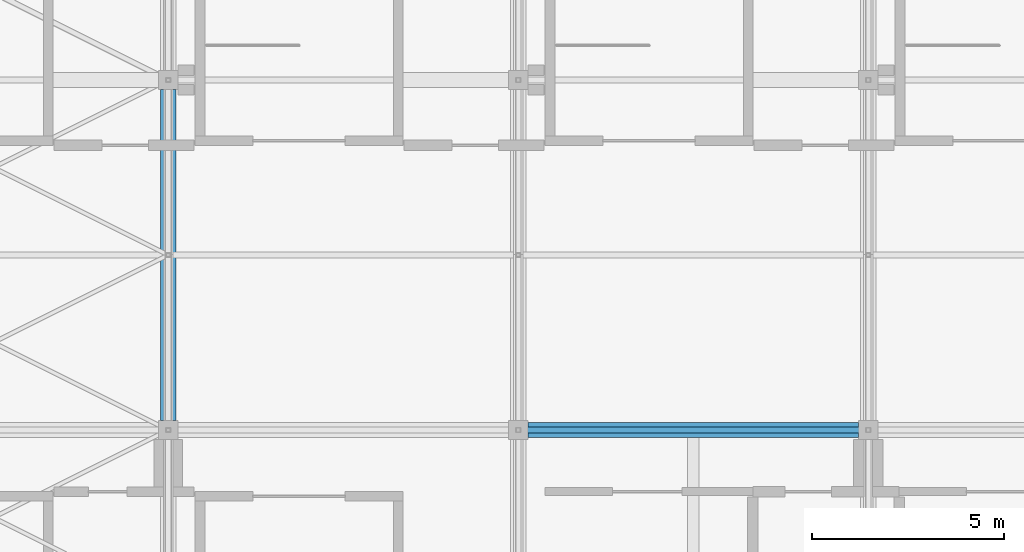
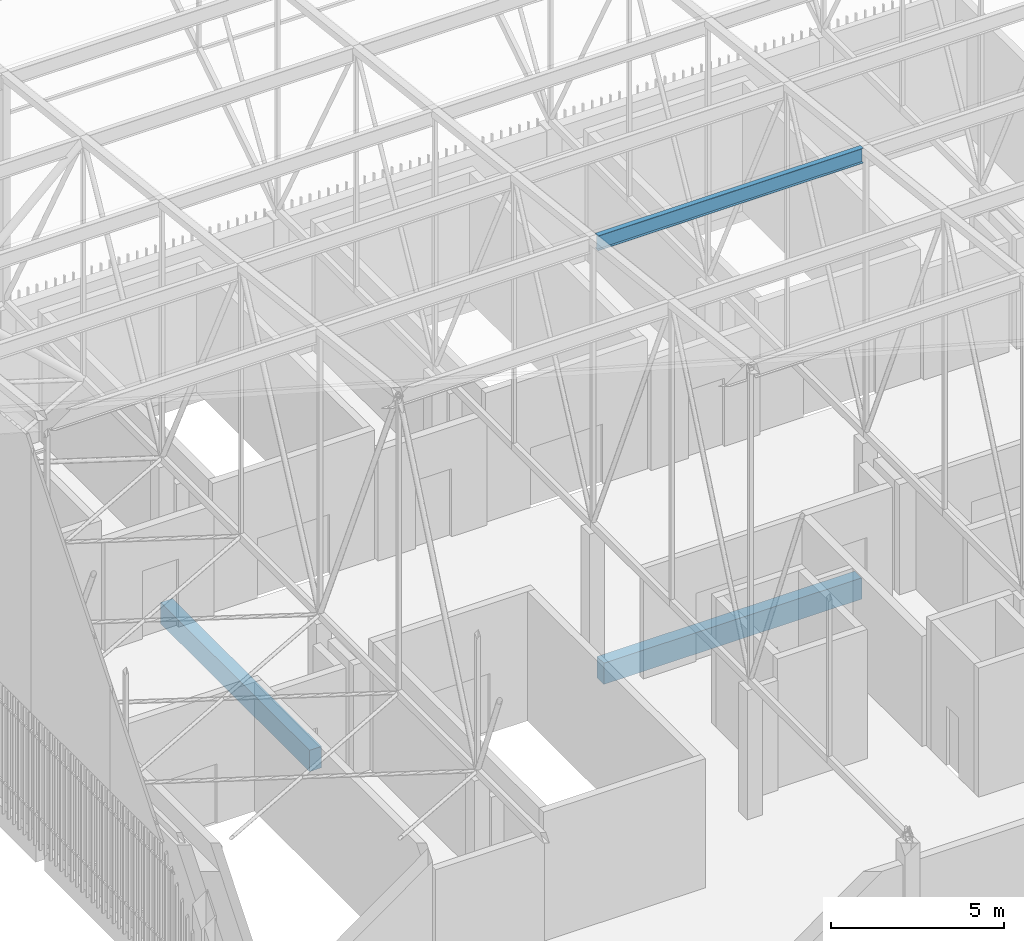
# One storey, part 222 of 500: 2 beams, 1 member.
"""IFC4 building model written with IfcOpenShell, lengths in metres."""

from ifc_helpers import new_model, si_unit, direction, frame, origin, origin_2d, place, context, subcontext, project, spatial, rectangle, i_section, extrude, material, material_profile, profile_set, type_object, element, save


model = new_model("IFC4")

# Units and contexts
model_context = context("Model", 3, precision=1e-05, world=origin(), true_north=direction((0.0, 1.0)))
body_context = subcontext(model_context, "Body", "Model", "MODEL_VIEW")
ifc_project = project(units=[si_unit("LENGTHUNIT", "METRE"), si_unit("AREAUNIT", "SQUARE_METRE"), si_unit("VOLUMEUNIT", "CUBIC_METRE"), si_unit("PLANEANGLEUNIT", "RADIAN"), si_unit("MASSUNIT", "GRAM", prefix="KILO")], contexts=[model_context])

# Site, building, storey
site_placement = place(None, origin())
site = spatial("IfcSite", under=ifc_project, at=site_placement, CompositionType="ELEMENT")
building_placement = place(site_placement, origin())
building = spatial("IfcBuilding", under=site, at=building_placement, Name="Shirokan Park Arena", CompositionType="ELEMENT")
storey_placement = place(building_placement, frame((0.0, 0.0, 29.1201171875)))
storey = spatial("IfcBuildingStorey", under=building, at=storey_placement, Name="L06", CompositionType="ELEMENT", Elevation=29.1201171875)

# Member
ifc_material_1 = material(Name="Steel ASTM A992", Category="steel")
ifc_material_profile_1 = material_profile(ifc_material_1, i_section(OverallWidth=0.166015625, OverallDepth=0.528076171875, WebThickness=0.009765625, FlangeThickness=0.013671875, at=origin_2d()), Name="W530X74")
ifc_profile_set_1 = profile_set([ifc_material_profile_1], Name="Steel ASTM A992")
member_type = type_object("IfcMemberType", Name="Purlin W530X74", PredefinedType="PURLIN", material=ifc_profile_set_1)
member_placement = place(storey_placement, frame((18.326904296875, 91.0, 14.56591796875), z_axis=(1.0, 0.0, 0.0), x_axis=(0.0, 1.0, 0.0)))
element("IfcMember", 1, at=member_placement, inside=storey, type_object=member_type, Name="Purlin 23 bay 3", PredefinedType="PURLIN", context=body_context, shape_type="SweptSolid", body=[
    extrude(i_section(OverallWidth=0.166015625, OverallDepth=0.528076171875, WebThickness=0.009765625, FlangeThickness=0.013671875, at=origin_2d()), origin(), (0.0, 0.0, 1.0), 8.84619140625),
])

# Beams
ifc_material_2 = material(Name="Concrete C35", Category="concrete")
ifc_material_profile_2 = material_profile(ifc_material_2, rectangle(XDim=0.39990234375, YDim=0.75, at=origin_2d()), Name="400x750")
ifc_profile_set_2 = profile_set([ifc_material_profile_2], Name="Concrete C35")
beam_type = type_object("IfcBeamType", Name="RC girder 400x750", PredefinedType="BEAM", material=ifc_profile_set_2)
beam_1_placement = place(storey_placement, frame((18.4501953125, 91.0, -0.5751953125), z_axis=(1.0, 0.0, 0.0), x_axis=(0.0, 1.0, 0.0)))
element("IfcBeam", 2, at=beam_1_placement, inside=storey, type_object=beam_type, Name="Girder 3L-4L L06", PredefinedType="BEAM", context=body_context, shape_type="SweptSolid", body=[
    extrude(rectangle(XDim=0.39990234375, YDim=0.75, at=origin_2d()), origin(), (0.0, 0.0, 1.0), 8.599609375),
])
beam_2_placement = place(storey_placement, frame((9.10009765625, 91.25, -0.5751953125), z_axis=(0.0, 1.0, 0.0), x_axis=(-1.0, 0.0, 0.0)))
element("IfcBeam", 3, at=beam_2_placement, inside=storey, type_object=beam_type, Name="Girder 2L-2M L06", PredefinedType="BEAM", context=body_context, shape_type="SweptSolid", body=[
    extrude(rectangle(XDim=0.39990234375, YDim=0.75, at=origin_2d()), origin(), (0.0, 0.0, 1.0), 8.599853515625),
])

save(model, "model.ifc")
